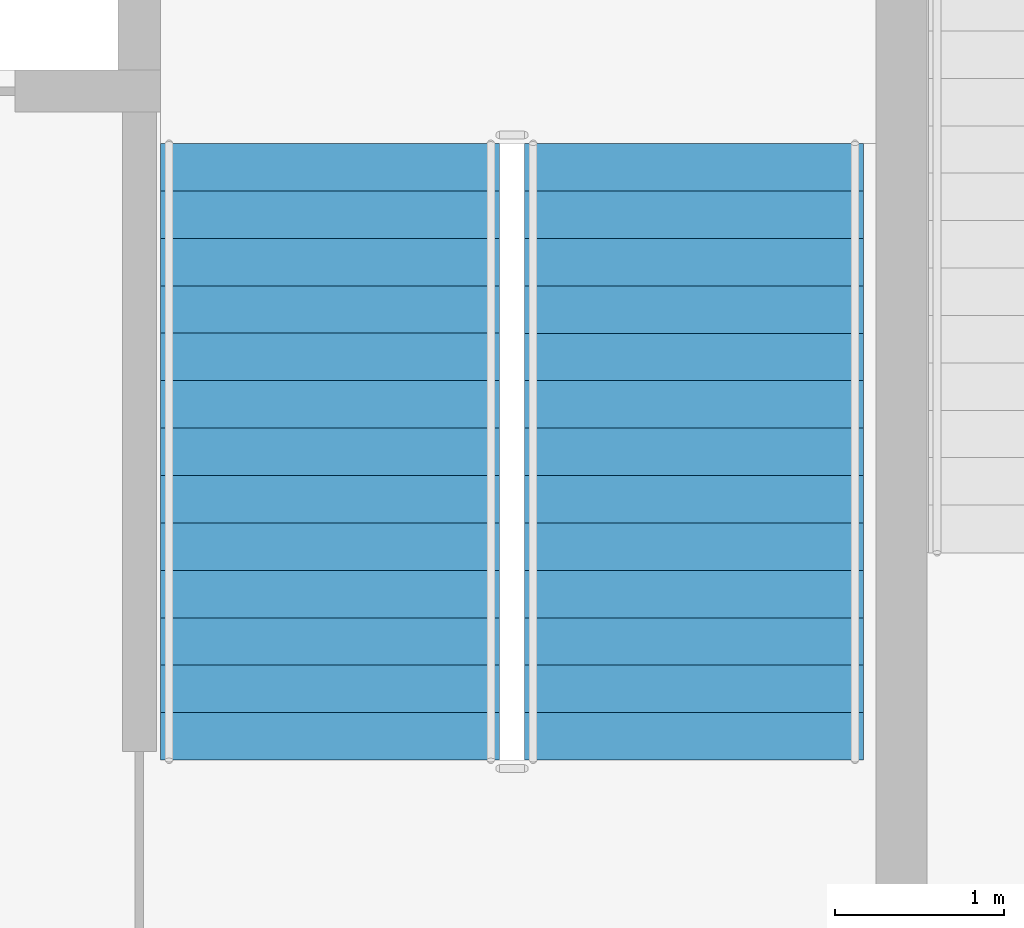
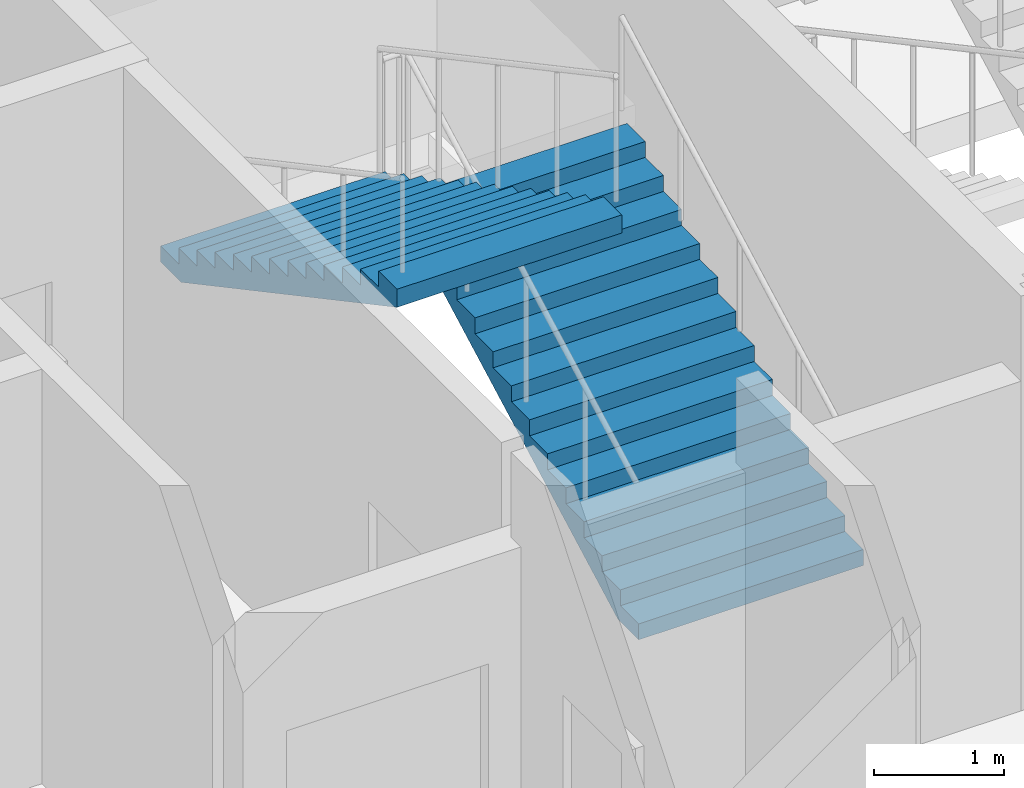
# One storey, part 5 of 7: 2 stair flights, 1 element without a shape of its own.
"""IFC4 building model written with IfcOpenShell, lengths in metres."""

from ifc_helpers import new_model, si_unit, direction, frame, origin, place, context, subcontext, project, spatial, polygons, material, type_object, element, aggregate, save


model = new_model("IFC4")

# Units and contexts
model_context = context("Model", 3, precision=1e-05, world=origin(), true_north=direction((0.0, 1.0)))
body_context = subcontext(model_context, "Body", "Model", "MODEL_VIEW")
ifc_project = project(units=[si_unit("LENGTHUNIT", "METRE"), si_unit("AREAUNIT", "SQUARE_METRE"), si_unit("VOLUMEUNIT", "CUBIC_METRE"), si_unit("PLANEANGLEUNIT", "RADIAN"), si_unit("MASSUNIT", "GRAM", prefix="KILO")], contexts=[model_context])

# Site, building, storey
site_placement = place(None, origin())
site = spatial("IfcSite", under=ifc_project, at=site_placement, CompositionType="ELEMENT")
building_placement = place(site_placement, origin())
building = spatial("IfcBuilding", under=site, at=building_placement, Name="Caravel Reach Hotel and Residences", CompositionType="ELEMENT")
storey_placement = place(building_placement, frame((0.0, 0.0, 317.0)))
storey = spatial("IfcBuildingStorey", under=building, at=storey_placement, Name="L80", CompositionType="ELEMENT", Elevation=317.0)

# Stair, stair flights
ifc_material_1 = material(Name="Concrete C40", Category="concrete")
stair_type = type_object("IfcStairType", Name="Core stair", PredefinedType="HALF_TURN_STAIR", material=ifc_material_1)
stair_placement = place(storey_placement, origin())
stair = element("IfcStair", 1, at=stair_placement, inside=storey, type_object=stair_type, Name="L80 Exit stair B", PredefinedType="HALF_TURN_STAIR")
ifc_material_2 = material(Name="Concrete C40", Category="concrete")
stair_flight_type = type_object("IfcStairFlightType", Name="Core stair flight", PredefinedType="STRAIGHT", material=ifc_material_2)
stair_flight_1_placement = place(storey_placement, frame((43.77490234375, 24.64990234375, 0.0), z_axis=(0.0, 0.0, 1.0), x_axis=(0.0, 1.0, 0.0)))
stair_flight_1 = element("IfcStairFlight", 2, at=stair_flight_1_placement, type_object=stair_flight_type, Name="ST-B flight 1", NumberOfRisers=14, NumberOfTreads=13, PredefinedType="STRAIGHT", RiserHeight=0.15, TreadLength=0.28, context=body_context, shape_type="Tessellation", body=[
    polygons([(0.3174408016601862, 1.0, 0.0), (0.3174408016601862, 0.6666666666666667, 0.0), (0.3174408016601862, 0.33333333333333337, 0.0), (0.3174408016601862, 0.0, 0.0), (0.3174408016601862, -0.33333333333333326, 0.0), (0.3174408016601862, -0.6666666666666667, 0.0), (0.3174408016601862, -1.0, 0.0), (3.6410000000000005, 1.0, 1.7799424276820432), (3.6410000000000005, 0.6666666666666667, 1.7799424276820432), (3.6410000000000005, 0.33333333333333337, 1.7799424276820432), (3.6410000000000005, 0.0, 1.7799424276820432), (3.6410000000000005, -0.33333333333333326, 1.7799424276820432), (3.6410000000000005, -0.6666666666666667, 1.7799424276820432), (3.6410000000000005, -1.0, 1.7799424276820432), (3.6410000000000005, 1.0, 1.95), (3.6410000000000005, 0.6666666666666667, 1.95), (3.6410000000000005, 0.33333333333333337, 1.95), (3.6410000000000005, 0.0, 1.95), (3.6410000000000005, -0.33333333333333326, 1.95), (3.6410000000000005, -0.6666666666666667, 1.95), (3.6410000000000005, -1.0, 1.95), (3.3600000000000003, 1.0, 1.95), (3.3600000000000003, 0.6666666666666667, 1.95), (3.3600000000000003, 0.33333333333333337, 1.95), (3.3600000000000003, 0.0, 1.95), (3.3600000000000003, -0.33333333333333326, 1.95), (3.3600000000000003, -0.6666666666666667, 1.95), (3.3600000000000003, -1.0, 1.95), (3.3600000000000003, 1.0, 1.7999999999999998), (3.3600000000000003, 0.6666666666666667, 1.7999999999999998), (3.3600000000000003, 0.33333333333333337, 1.7999999999999998), (3.3600000000000003, 0.0, 1.7999999999999998), (3.3600000000000003, -0.33333333333333326, 1.7999999999999998), (3.3600000000000003, -0.6666666666666667, 1.7999999999999998), (3.3600000000000003, -1.0, 1.7999999999999998), (3.08, 1.0, 1.7999999999999998), (3.08, 0.6666666666666667, 1.7999999999999998), (3.08, 0.33333333333333337, 1.7999999999999998), (3.08, 0.0, 1.7999999999999998), (3.08, -0.33333333333333326, 1.7999999999999998), (3.08, -0.6666666666666667, 1.7999999999999998), (3.08, -1.0, 1.7999999999999998), (3.08, 1.0, 1.65), (3.08, 0.6666666666666667, 1.65), (3.08, 0.33333333333333337, 1.65), (3.08, 0.0, 1.65), (3.08, -0.33333333333333326, 1.65), (3.08, -0.6666666666666667, 1.65), (3.08, -1.0, 1.65), (2.8000000000000003, 1.0, 1.65), (2.8000000000000003, 0.6666666666666667, 1.65), (2.8000000000000003, 0.33333333333333337, 1.65), (2.8000000000000003, 0.0, 1.65), (2.8000000000000003, -0.33333333333333326, 1.65), (2.8000000000000003, -0.6666666666666667, 1.65), (2.8000000000000003, -1.0, 1.65), (2.8000000000000003, 1.0, 1.5), (2.8000000000000003, 0.6666666666666667, 1.5), (2.8000000000000003, 0.33333333333333337, 1.5), (2.8000000000000003, 0.0, 1.5), (2.8000000000000003, -0.33333333333333326, 1.5), (2.8000000000000003, -0.6666666666666667, 1.5), (2.8000000000000003, -1.0, 1.5), (2.5200000000000005, 1.0, 1.5), (2.5200000000000005, 0.6666666666666667, 1.5), (2.5200000000000005, 0.33333333333333337, 1.5), (2.5200000000000005, 0.0, 1.5), (2.5200000000000005, -0.33333333333333326, 1.5), (2.5200000000000005, -0.6666666666666667, 1.5), (2.5200000000000005, -1.0, 1.5), (2.5200000000000005, 1.0, 1.3499999999999999), (2.5200000000000005, 0.6666666666666667, 1.3499999999999999), (2.5200000000000005, 0.33333333333333337, 1.3499999999999999), (2.5200000000000005, 0.0, 1.3499999999999999), (2.5200000000000005, -0.33333333333333326, 1.3499999999999999), (2.5200000000000005, -0.6666666666666667, 1.3499999999999999), (2.5200000000000005, -1.0, 1.3499999999999999), (2.24, 1.0, 1.3499999999999999), (2.24, 0.6666666666666667, 1.3499999999999999), (2.24, 0.33333333333333337, 1.3499999999999999), (2.24, 0.0, 1.3499999999999999), (2.24, -0.33333333333333326, 1.3499999999999999), (2.24, -0.6666666666666667, 1.3499999999999999), (2.24, -1.0, 1.3499999999999999), (2.24, 1.0, 1.2), (2.24, 0.6666666666666667, 1.2), (2.24, 0.33333333333333337, 1.2), (2.24, 0.0, 1.2), (2.24, -0.33333333333333326, 1.2), (2.24, -0.6666666666666667, 1.2), (2.24, -1.0, 1.2), (1.9600000000000002, 1.0, 1.2), (1.9600000000000002, 0.6666666666666667, 1.2), (1.9600000000000002, 0.33333333333333337, 1.2), (1.9600000000000002, 0.0, 1.2), (1.9600000000000002, -0.33333333333333326, 1.2), (1.9600000000000002, -0.6666666666666667, 1.2), (1.9600000000000002, -1.0, 1.2), (1.9600000000000002, 1.0, 1.05), (1.9600000000000002, 0.6666666666666667, 1.05), (1.9600000000000002, 0.33333333333333337, 1.05), (1.9600000000000002, 0.0, 1.05), (1.9600000000000002, -0.33333333333333326, 1.05), (1.9600000000000002, -0.6666666666666667, 1.05), (1.9600000000000002, -1.0, 1.05), (1.6800000000000002, 1.0, 1.05), (1.6800000000000002, 0.6666666666666667, 1.05), (1.6800000000000002, 0.33333333333333337, 1.05), (1.6800000000000002, 0.0, 1.05), (1.6800000000000002, -0.33333333333333326, 1.05), (1.6800000000000002, -0.6666666666666667, 1.05), (1.6800000000000002, -1.0, 1.05), (1.6800000000000002, 1.0, 0.8999999999999999), (1.6800000000000002, 0.6666666666666667, 0.8999999999999999), (1.6800000000000002, 0.33333333333333337, 0.8999999999999999), (1.6800000000000002, 0.0, 0.8999999999999999), (1.6800000000000002, -0.33333333333333326, 0.8999999999999999), (1.6800000000000002, -0.6666666666666667, 0.8999999999999999), (1.6800000000000002, -1.0, 0.8999999999999999), (1.4000000000000001, 1.0, 0.8999999999999999), (1.4000000000000001, 0.6666666666666667, 0.8999999999999999), (1.4000000000000001, 0.33333333333333337, 0.8999999999999999), (1.4000000000000001, 0.0, 0.8999999999999999), (1.4000000000000001, -0.33333333333333326, 0.8999999999999999), (1.4000000000000001, -0.6666666666666667, 0.8999999999999999), (1.4000000000000001, -1.0, 0.8999999999999999), (1.4000000000000001, 1.0, 0.75), (1.4000000000000001, 0.6666666666666667, 0.75), (1.4000000000000001, 0.33333333333333337, 0.75), (1.4000000000000001, 0.0, 0.75), (1.4000000000000001, -0.33333333333333326, 0.75), (1.4000000000000001, -0.6666666666666667, 0.75), (1.4000000000000001, -1.0, 0.75), (1.12, 1.0, 0.75), (1.12, 0.6666666666666667, 0.75), (1.12, 0.33333333333333337, 0.75), (1.12, 0.0, 0.75), (1.12, -0.33333333333333326, 0.75), (1.12, -0.6666666666666667, 0.75), (1.12, -1.0, 0.75), (1.12, 1.0, 0.6), (1.12, 0.6666666666666667, 0.6), (1.12, 0.33333333333333337, 0.6), (1.12, 0.0, 0.6), (1.12, -0.33333333333333326, 0.6), (1.12, -0.6666666666666667, 0.6), (1.12, -1.0, 0.6), (0.8400000000000001, 1.0, 0.6), (0.8400000000000001, 0.6666666666666667, 0.6), (0.8400000000000001, 0.33333333333333337, 0.6), (0.8400000000000001, 0.0, 0.6), (0.8400000000000001, -0.33333333333333326, 0.6), (0.8400000000000001, -0.6666666666666667, 0.6), (0.8400000000000001, -1.0, 0.6), (0.8400000000000001, 1.0, 0.44999999999999996), (0.8400000000000001, 0.6666666666666667, 0.44999999999999996), (0.8400000000000001, 0.33333333333333337, 0.44999999999999996), (0.8400000000000001, 0.0, 0.44999999999999996), (0.8400000000000001, -0.33333333333333326, 0.44999999999999996), (0.8400000000000001, -0.6666666666666667, 0.44999999999999996), (0.8400000000000001, -1.0, 0.44999999999999996), (0.56, 1.0, 0.44999999999999996), (0.56, 0.6666666666666667, 0.44999999999999996), (0.56, 0.33333333333333337, 0.44999999999999996), (0.56, 0.0, 0.44999999999999996), (0.56, -0.33333333333333326, 0.44999999999999996), (0.56, -0.6666666666666667, 0.44999999999999996), (0.56, -1.0, 0.44999999999999996), (0.56, 1.0, 0.3), (0.56, 0.6666666666666667, 0.3), (0.56, 0.33333333333333337, 0.3), (0.56, 0.0, 0.3), (0.56, -0.33333333333333326, 0.3), (0.56, -0.6666666666666667, 0.3), (0.56, -1.0, 0.3), (0.28, 1.0, 0.3), (0.28, 0.6666666666666667, 0.3), (0.28, 0.33333333333333337, 0.3), (0.28, 0.0, 0.3), (0.28, -0.33333333333333326, 0.3), (0.28, -0.6666666666666667, 0.3), (0.28, -1.0, 0.3), (0.28, 1.0, 0.15), (0.28, 0.6666666666666667, 0.15), (0.28, 0.33333333333333337, 0.15), (0.28, 0.0, 0.15), (0.28, -0.33333333333333326, 0.15), (0.28, -0.6666666666666667, 0.15), (0.28, -1.0, 0.15), (-0.001, 1.0, 0.15), (-0.001, 0.6666666666666667, 0.15), (-0.001, 0.33333333333333337, 0.15), (-0.001, 0.0, 0.15), (-0.001, -0.33333333333333326, 0.15), (-0.001, -0.6666666666666667, 0.15), (-0.001, -1.0, 0.15), (-0.001, 1.0, 0.0), (-0.001, 0.6666666666666667, 0.0), (-0.001, 0.33333333333333337, 0.0), (-0.001, 0.0, 0.0), (-0.001, -0.33333333333333326, 0.0), (-0.001, -0.6666666666666667, 0.0), (-0.001, -1.0, 0.0)], [[[197, 190, 183, 176, 169, 162, 155, 148, 141, 134, 127, 120, 113, 106, 99, 92, 85, 78, 71, 64, 57, 50, 43, 36, 29, 22, 15, 8, 1]], [[7, 14, 21, 28, 35, 42, 49, 56, 63, 70, 77, 84, 91, 98, 105, 112, 119, 126, 133, 140, 147, 154, 161, 168, 175, 182, 189, 196, 203]], [[1, 8, 9, 2]], [[2, 9, 10, 3]], [[3, 10, 11, 4]], [[4, 11, 12, 5]], [[5, 12, 13, 6]], [[6, 13, 14, 7]], [[8, 15, 16, 9]], [[9, 16, 17, 10]], [[10, 17, 18, 11]], [[11, 18, 19, 12]], [[12, 19, 20, 13]], [[13, 20, 21, 14]], [[15, 22, 23, 16]], [[16, 23, 24, 17]], [[17, 24, 25, 18]], [[18, 25, 26, 19]], [[19, 26, 27, 20]], [[20, 27, 28, 21]], [[22, 29, 30, 23]], [[23, 30, 31, 24]], [[24, 31, 32, 25]], [[25, 32, 33, 26]], [[26, 33, 34, 27]], [[27, 34, 35, 28]], [[29, 36, 37, 30]], [[30, 37, 38, 31]], [[31, 38, 39, 32]], [[32, 39, 40, 33]], [[33, 40, 41, 34]], [[34, 41, 42, 35]], [[36, 43, 44, 37]], [[37, 44, 45, 38]], [[38, 45, 46, 39]], [[39, 46, 47, 40]], [[40, 47, 48, 41]], [[41, 48, 49, 42]], [[43, 50, 51, 44]], [[44, 51, 52, 45]], [[45, 52, 53, 46]], [[46, 53, 54, 47]], [[47, 54, 55, 48]], [[48, 55, 56, 49]], [[50, 57, 58, 51]], [[51, 58, 59, 52]], [[52, 59, 60, 53]], [[53, 60, 61, 54]], [[54, 61, 62, 55]], [[55, 62, 63, 56]], [[57, 64, 65, 58]], [[58, 65, 66, 59]], [[59, 66, 67, 60]], [[60, 67, 68, 61]], [[61, 68, 69, 62]], [[62, 69, 70, 63]], [[64, 71, 72, 65]], [[65, 72, 73, 66]], [[66, 73, 74, 67]], [[67, 74, 75, 68]], [[68, 75, 76, 69]], [[69, 76, 77, 70]], [[71, 78, 79, 72]], [[72, 79, 80, 73]], [[73, 80, 81, 74]], [[74, 81, 82, 75]], [[75, 82, 83, 76]], [[76, 83, 84, 77]], [[78, 85, 86, 79]], [[79, 86, 87, 80]], [[80, 87, 88, 81]], [[81, 88, 89, 82]], [[82, 89, 90, 83]], [[83, 90, 91, 84]], [[85, 92, 93, 86]], [[86, 93, 94, 87]], [[87, 94, 95, 88]], [[88, 95, 96, 89]], [[89, 96, 97, 90]], [[90, 97, 98, 91]], [[92, 99, 100, 93]], [[93, 100, 101, 94]], [[94, 101, 102, 95]], [[95, 102, 103, 96]], [[96, 103, 104, 97]], [[97, 104, 105, 98]], [[99, 106, 107, 100]], [[100, 107, 108, 101]], [[101, 108, 109, 102]], [[102, 109, 110, 103]], [[103, 110, 111, 104]], [[104, 111, 112, 105]], [[106, 113, 114, 107]], [[107, 114, 115, 108]], [[108, 115, 116, 109]], [[109, 116, 117, 110]], [[110, 117, 118, 111]], [[111, 118, 119, 112]], [[113, 120, 121, 114]], [[114, 121, 122, 115]], [[115, 122, 123, 116]], [[116, 123, 124, 117]], [[117, 124, 125, 118]], [[118, 125, 126, 119]], [[120, 127, 128, 121]], [[121, 128, 129, 122]], [[122, 129, 130, 123]], [[123, 130, 131, 124]], [[124, 131, 132, 125]], [[125, 132, 133, 126]], [[127, 134, 135, 128]], [[128, 135, 136, 129]], [[129, 136, 137, 130]], [[130, 137, 138, 131]], [[131, 138, 139, 132]], [[132, 139, 140, 133]], [[134, 141, 142, 135]], [[135, 142, 143, 136]], [[136, 143, 144, 137]], [[137, 144, 145, 138]], [[138, 145, 146, 139]], [[139, 146, 147, 140]], [[141, 148, 149, 142]], [[142, 149, 150, 143]], [[143, 150, 151, 144]], [[144, 151, 152, 145]], [[145, 152, 153, 146]], [[146, 153, 154, 147]], [[148, 155, 156, 149]], [[149, 156, 157, 150]], [[150, 157, 158, 151]], [[151, 158, 159, 152]], [[152, 159, 160, 153]], [[153, 160, 161, 154]], [[155, 162, 163, 156]], [[156, 163, 164, 157]], [[157, 164, 165, 158]], [[158, 165, 166, 159]], [[159, 166, 167, 160]], [[160, 167, 168, 161]], [[162, 169, 170, 163]], [[163, 170, 171, 164]], [[164, 171, 172, 165]], [[165, 172, 173, 166]], [[166, 173, 174, 167]], [[167, 174, 175, 168]], [[169, 176, 177, 170]], [[170, 177, 178, 171]], [[171, 178, 179, 172]], [[172, 179, 180, 173]], [[173, 180, 181, 174]], [[174, 181, 182, 175]], [[176, 183, 184, 177]], [[177, 184, 185, 178]], [[178, 185, 186, 179]], [[179, 186, 187, 180]], [[180, 187, 188, 181]], [[181, 188, 189, 182]], [[183, 190, 191, 184]], [[184, 191, 192, 185]], [[185, 192, 193, 186]], [[186, 193, 194, 187]], [[187, 194, 195, 188]], [[188, 195, 196, 189]], [[190, 197, 198, 191]], [[191, 198, 199, 192]], [[192, 199, 200, 193]], [[193, 200, 201, 194]], [[194, 201, 202, 195]], [[195, 202, 203, 196]], [[197, 1, 2, 198]], [[198, 2, 3, 199]], [[199, 3, 4, 200]], [[200, 4, 5, 201]], [[201, 5, 6, 202]], [[202, 6, 7, 203]]], closed=True),
])
stair_flight_2_placement = place(storey_placement, frame((41.625, 28.2900390625, 2.10009765625), z_axis=(0.0, 0.0, 1.0), x_axis=(0.0, -1.0, 0.0)))
stair_flight_2 = element("IfcStairFlight", 3, at=stair_flight_2_placement, type_object=stair_flight_type, Name="ST-B flight 2", NumberOfRisers=14, NumberOfTreads=13, PredefinedType="STRAIGHT", RiserHeight=0.15, TreadLength=0.28, context=body_context, shape_type="Tessellation", body=[
    polygons([(0.3174408016601862, 1.0, 0.0), (0.3174408016601862, 0.6666666666666667, 0.0), (0.3174408016601862, 0.33333333333333337, 0.0), (0.3174408016601862, 0.0, 0.0), (0.3174408016601862, -0.33333333333333326, 0.0), (0.3174408016601862, -0.6666666666666667, 0.0), (0.3174408016601862, -1.0, 0.0), (3.6410000000000005, 1.0, 1.7799424276820432), (3.6410000000000005, 0.6666666666666667, 1.7799424276820432), (3.6410000000000005, 0.33333333333333337, 1.7799424276820432), (3.6410000000000005, 0.0, 1.7799424276820432), (3.6410000000000005, -0.33333333333333326, 1.7799424276820432), (3.6410000000000005, -0.6666666666666667, 1.7799424276820432), (3.6410000000000005, -1.0, 1.7799424276820432), (3.6410000000000005, 1.0, 1.95), (3.6410000000000005, 0.6666666666666667, 1.95), (3.6410000000000005, 0.33333333333333337, 1.95), (3.6410000000000005, 0.0, 1.95), (3.6410000000000005, -0.33333333333333326, 1.95), (3.6410000000000005, -0.6666666666666667, 1.95), (3.6410000000000005, -1.0, 1.95), (3.3600000000000003, 1.0, 1.95), (3.3600000000000003, 0.6666666666666667, 1.95), (3.3600000000000003, 0.33333333333333337, 1.95), (3.3600000000000003, 0.0, 1.95), (3.3600000000000003, -0.33333333333333326, 1.95), (3.3600000000000003, -0.6666666666666667, 1.95), (3.3600000000000003, -1.0, 1.95), (3.3600000000000003, 1.0, 1.7999999999999998), (3.3600000000000003, 0.6666666666666667, 1.7999999999999998), (3.3600000000000003, 0.33333333333333337, 1.7999999999999998), (3.3600000000000003, 0.0, 1.7999999999999998), (3.3600000000000003, -0.33333333333333326, 1.7999999999999998), (3.3600000000000003, -0.6666666666666667, 1.7999999999999998), (3.3600000000000003, -1.0, 1.7999999999999998), (3.08, 1.0, 1.7999999999999998), (3.08, 0.6666666666666667, 1.7999999999999998), (3.08, 0.33333333333333337, 1.7999999999999998), (3.08, 0.0, 1.7999999999999998), (3.08, -0.33333333333333326, 1.7999999999999998), (3.08, -0.6666666666666667, 1.7999999999999998), (3.08, -1.0, 1.7999999999999998), (3.08, 1.0, 1.65), (3.08, 0.6666666666666667, 1.65), (3.08, 0.33333333333333337, 1.65), (3.08, 0.0, 1.65), (3.08, -0.33333333333333326, 1.65), (3.08, -0.6666666666666667, 1.65), (3.08, -1.0, 1.65), (2.8000000000000003, 1.0, 1.65), (2.8000000000000003, 0.6666666666666667, 1.65), (2.8000000000000003, 0.33333333333333337, 1.65), (2.8000000000000003, 0.0, 1.65), (2.8000000000000003, -0.33333333333333326, 1.65), (2.8000000000000003, -0.6666666666666667, 1.65), (2.8000000000000003, -1.0, 1.65), (2.8000000000000003, 1.0, 1.5), (2.8000000000000003, 0.6666666666666667, 1.5), (2.8000000000000003, 0.33333333333333337, 1.5), (2.8000000000000003, 0.0, 1.5), (2.8000000000000003, -0.33333333333333326, 1.5), (2.8000000000000003, -0.6666666666666667, 1.5), (2.8000000000000003, -1.0, 1.5), (2.5200000000000005, 1.0, 1.5), (2.5200000000000005, 0.6666666666666667, 1.5), (2.5200000000000005, 0.33333333333333337, 1.5), (2.5200000000000005, 0.0, 1.5), (2.5200000000000005, -0.33333333333333326, 1.5), (2.5200000000000005, -0.6666666666666667, 1.5), (2.5200000000000005, -1.0, 1.5), (2.5200000000000005, 1.0, 1.3499999999999999), (2.5200000000000005, 0.6666666666666667, 1.3499999999999999), (2.5200000000000005, 0.33333333333333337, 1.3499999999999999), (2.5200000000000005, 0.0, 1.3499999999999999), (2.5200000000000005, -0.33333333333333326, 1.3499999999999999), (2.5200000000000005, -0.6666666666666667, 1.3499999999999999), (2.5200000000000005, -1.0, 1.3499999999999999), (2.24, 1.0, 1.3499999999999999), (2.24, 0.6666666666666667, 1.3499999999999999), (2.24, 0.33333333333333337, 1.3499999999999999), (2.24, 0.0, 1.3499999999999999), (2.24, -0.33333333333333326, 1.3499999999999999), (2.24, -0.6666666666666667, 1.3499999999999999), (2.24, -1.0, 1.3499999999999999), (2.24, 1.0, 1.2), (2.24, 0.6666666666666667, 1.2), (2.24, 0.33333333333333337, 1.2), (2.24, 0.0, 1.2), (2.24, -0.33333333333333326, 1.2), (2.24, -0.6666666666666667, 1.2), (2.24, -1.0, 1.2), (1.9600000000000002, 1.0, 1.2), (1.9600000000000002, 0.6666666666666667, 1.2), (1.9600000000000002, 0.33333333333333337, 1.2), (1.9600000000000002, 0.0, 1.2), (1.9600000000000002, -0.33333333333333326, 1.2), (1.9600000000000002, -0.6666666666666667, 1.2), (1.9600000000000002, -1.0, 1.2), (1.9600000000000002, 1.0, 1.05), (1.9600000000000002, 0.6666666666666667, 1.05), (1.9600000000000002, 0.33333333333333337, 1.05), (1.9600000000000002, 0.0, 1.05), (1.9600000000000002, -0.33333333333333326, 1.05), (1.9600000000000002, -0.6666666666666667, 1.05), (1.9600000000000002, -1.0, 1.05), (1.6800000000000002, 1.0, 1.05), (1.6800000000000002, 0.6666666666666667, 1.05), (1.6800000000000002, 0.33333333333333337, 1.05), (1.6800000000000002, 0.0, 1.05), (1.6800000000000002, -0.33333333333333326, 1.05), (1.6800000000000002, -0.6666666666666667, 1.05), (1.6800000000000002, -1.0, 1.05), (1.6800000000000002, 1.0, 0.8999999999999999), (1.6800000000000002, 0.6666666666666667, 0.8999999999999999), (1.6800000000000002, 0.33333333333333337, 0.8999999999999999), (1.6800000000000002, 0.0, 0.8999999999999999), (1.6800000000000002, -0.33333333333333326, 0.8999999999999999), (1.6800000000000002, -0.6666666666666667, 0.8999999999999999), (1.6800000000000002, -1.0, 0.8999999999999999), (1.4000000000000001, 1.0, 0.8999999999999999), (1.4000000000000001, 0.6666666666666667, 0.8999999999999999), (1.4000000000000001, 0.33333333333333337, 0.8999999999999999), (1.4000000000000001, 0.0, 0.8999999999999999), (1.4000000000000001, -0.33333333333333326, 0.8999999999999999), (1.4000000000000001, -0.6666666666666667, 0.8999999999999999), (1.4000000000000001, -1.0, 0.8999999999999999), (1.4000000000000001, 1.0, 0.75), (1.4000000000000001, 0.6666666666666667, 0.75), (1.4000000000000001, 0.33333333333333337, 0.75), (1.4000000000000001, 0.0, 0.75), (1.4000000000000001, -0.33333333333333326, 0.75), (1.4000000000000001, -0.6666666666666667, 0.75), (1.4000000000000001, -1.0, 0.75), (1.12, 1.0, 0.75), (1.12, 0.6666666666666667, 0.75), (1.12, 0.33333333333333337, 0.75), (1.12, 0.0, 0.75), (1.12, -0.33333333333333326, 0.75), (1.12, -0.6666666666666667, 0.75), (1.12, -1.0, 0.75), (1.12, 1.0, 0.6), (1.12, 0.6666666666666667, 0.6), (1.12, 0.33333333333333337, 0.6), (1.12, 0.0, 0.6), (1.12, -0.33333333333333326, 0.6), (1.12, -0.6666666666666667, 0.6), (1.12, -1.0, 0.6), (0.8400000000000001, 1.0, 0.6), (0.8400000000000001, 0.6666666666666667, 0.6), (0.8400000000000001, 0.33333333333333337, 0.6), (0.8400000000000001, 0.0, 0.6), (0.8400000000000001, -0.33333333333333326, 0.6), (0.8400000000000001, -0.6666666666666667, 0.6), (0.8400000000000001, -1.0, 0.6), (0.8400000000000001, 1.0, 0.44999999999999996), (0.8400000000000001, 0.6666666666666667, 0.44999999999999996), (0.8400000000000001, 0.33333333333333337, 0.44999999999999996), (0.8400000000000001, 0.0, 0.44999999999999996), (0.8400000000000001, -0.33333333333333326, 0.44999999999999996), (0.8400000000000001, -0.6666666666666667, 0.44999999999999996), (0.8400000000000001, -1.0, 0.44999999999999996), (0.56, 1.0, 0.44999999999999996), (0.56, 0.6666666666666667, 0.44999999999999996), (0.56, 0.33333333333333337, 0.44999999999999996), (0.56, 0.0, 0.44999999999999996), (0.56, -0.33333333333333326, 0.44999999999999996), (0.56, -0.6666666666666667, 0.44999999999999996), (0.56, -1.0, 0.44999999999999996), (0.56, 1.0, 0.3), (0.56, 0.6666666666666667, 0.3), (0.56, 0.33333333333333337, 0.3), (0.56, 0.0, 0.3), (0.56, -0.33333333333333326, 0.3), (0.56, -0.6666666666666667, 0.3), (0.56, -1.0, 0.3), (0.28, 1.0, 0.3), (0.28, 0.6666666666666667, 0.3), (0.28, 0.33333333333333337, 0.3), (0.28, 0.0, 0.3), (0.28, -0.33333333333333326, 0.3), (0.28, -0.6666666666666667, 0.3), (0.28, -1.0, 0.3), (0.28, 1.0, 0.15), (0.28, 0.6666666666666667, 0.15), (0.28, 0.33333333333333337, 0.15), (0.28, 0.0, 0.15), (0.28, -0.33333333333333326, 0.15), (0.28, -0.6666666666666667, 0.15), (0.28, -1.0, 0.15), (-0.001, 1.0, 0.15), (-0.001, 0.6666666666666667, 0.15), (-0.001, 0.33333333333333337, 0.15), (-0.001, 0.0, 0.15), (-0.001, -0.33333333333333326, 0.15), (-0.001, -0.6666666666666667, 0.15), (-0.001, -1.0, 0.15), (-0.001, 1.0, 0.0), (-0.001, 0.6666666666666667, 0.0), (-0.001, 0.33333333333333337, 0.0), (-0.001, 0.0, 0.0), (-0.001, -0.33333333333333326, 0.0), (-0.001, -0.6666666666666667, 0.0), (-0.001, -1.0, 0.0)], [[[197, 190, 183, 176, 169, 162, 155, 148, 141, 134, 127, 120, 113, 106, 99, 92, 85, 78, 71, 64, 57, 50, 43, 36, 29, 22, 15, 8, 1]], [[7, 14, 21, 28, 35, 42, 49, 56, 63, 70, 77, 84, 91, 98, 105, 112, 119, 126, 133, 140, 147, 154, 161, 168, 175, 182, 189, 196, 203]], [[1, 8, 9, 2]], [[2, 9, 10, 3]], [[3, 10, 11, 4]], [[4, 11, 12, 5]], [[5, 12, 13, 6]], [[6, 13, 14, 7]], [[8, 15, 16, 9]], [[9, 16, 17, 10]], [[10, 17, 18, 11]], [[11, 18, 19, 12]], [[12, 19, 20, 13]], [[13, 20, 21, 14]], [[15, 22, 23, 16]], [[16, 23, 24, 17]], [[17, 24, 25, 18]], [[18, 25, 26, 19]], [[19, 26, 27, 20]], [[20, 27, 28, 21]], [[22, 29, 30, 23]], [[23, 30, 31, 24]], [[24, 31, 32, 25]], [[25, 32, 33, 26]], [[26, 33, 34, 27]], [[27, 34, 35, 28]], [[29, 36, 37, 30]], [[30, 37, 38, 31]], [[31, 38, 39, 32]], [[32, 39, 40, 33]], [[33, 40, 41, 34]], [[34, 41, 42, 35]], [[36, 43, 44, 37]], [[37, 44, 45, 38]], [[38, 45, 46, 39]], [[39, 46, 47, 40]], [[40, 47, 48, 41]], [[41, 48, 49, 42]], [[43, 50, 51, 44]], [[44, 51, 52, 45]], [[45, 52, 53, 46]], [[46, 53, 54, 47]], [[47, 54, 55, 48]], [[48, 55, 56, 49]], [[50, 57, 58, 51]], [[51, 58, 59, 52]], [[52, 59, 60, 53]], [[53, 60, 61, 54]], [[54, 61, 62, 55]], [[55, 62, 63, 56]], [[57, 64, 65, 58]], [[58, 65, 66, 59]], [[59, 66, 67, 60]], [[60, 67, 68, 61]], [[61, 68, 69, 62]], [[62, 69, 70, 63]], [[64, 71, 72, 65]], [[65, 72, 73, 66]], [[66, 73, 74, 67]], [[67, 74, 75, 68]], [[68, 75, 76, 69]], [[69, 76, 77, 70]], [[71, 78, 79, 72]], [[72, 79, 80, 73]], [[73, 80, 81, 74]], [[74, 81, 82, 75]], [[75, 82, 83, 76]], [[76, 83, 84, 77]], [[78, 85, 86, 79]], [[79, 86, 87, 80]], [[80, 87, 88, 81]], [[81, 88, 89, 82]], [[82, 89, 90, 83]], [[83, 90, 91, 84]], [[85, 92, 93, 86]], [[86, 93, 94, 87]], [[87, 94, 95, 88]], [[88, 95, 96, 89]], [[89, 96, 97, 90]], [[90, 97, 98, 91]], [[92, 99, 100, 93]], [[93, 100, 101, 94]], [[94, 101, 102, 95]], [[95, 102, 103, 96]], [[96, 103, 104, 97]], [[97, 104, 105, 98]], [[99, 106, 107, 100]], [[100, 107, 108, 101]], [[101, 108, 109, 102]], [[102, 109, 110, 103]], [[103, 110, 111, 104]], [[104, 111, 112, 105]], [[106, 113, 114, 107]], [[107, 114, 115, 108]], [[108, 115, 116, 109]], [[109, 116, 117, 110]], [[110, 117, 118, 111]], [[111, 118, 119, 112]], [[113, 120, 121, 114]], [[114, 121, 122, 115]], [[115, 122, 123, 116]], [[116, 123, 124, 117]], [[117, 124, 125, 118]], [[118, 125, 126, 119]], [[120, 127, 128, 121]], [[121, 128, 129, 122]], [[122, 129, 130, 123]], [[123, 130, 131, 124]], [[124, 131, 132, 125]], [[125, 132, 133, 126]], [[127, 134, 135, 128]], [[128, 135, 136, 129]], [[129, 136, 137, 130]], [[130, 137, 138, 131]], [[131, 138, 139, 132]], [[132, 139, 140, 133]], [[134, 141, 142, 135]], [[135, 142, 143, 136]], [[136, 143, 144, 137]], [[137, 144, 145, 138]], [[138, 145, 146, 139]], [[139, 146, 147, 140]], [[141, 148, 149, 142]], [[142, 149, 150, 143]], [[143, 150, 151, 144]], [[144, 151, 152, 145]], [[145, 152, 153, 146]], [[146, 153, 154, 147]], [[148, 155, 156, 149]], [[149, 156, 157, 150]], [[150, 157, 158, 151]], [[151, 158, 159, 152]], [[152, 159, 160, 153]], [[153, 160, 161, 154]], [[155, 162, 163, 156]], [[156, 163, 164, 157]], [[157, 164, 165, 158]], [[158, 165, 166, 159]], [[159, 166, 167, 160]], [[160, 167, 168, 161]], [[162, 169, 170, 163]], [[163, 170, 171, 164]], [[164, 171, 172, 165]], [[165, 172, 173, 166]], [[166, 173, 174, 167]], [[167, 174, 175, 168]], [[169, 176, 177, 170]], [[170, 177, 178, 171]], [[171, 178, 179, 172]], [[172, 179, 180, 173]], [[173, 180, 181, 174]], [[174, 181, 182, 175]], [[176, 183, 184, 177]], [[177, 184, 185, 178]], [[178, 185, 186, 179]], [[179, 186, 187, 180]], [[180, 187, 188, 181]], [[181, 188, 189, 182]], [[183, 190, 191, 184]], [[184, 191, 192, 185]], [[185, 192, 193, 186]], [[186, 193, 194, 187]], [[187, 194, 195, 188]], [[188, 195, 196, 189]], [[190, 197, 198, 191]], [[191, 198, 199, 192]], [[192, 199, 200, 193]], [[193, 200, 201, 194]], [[194, 201, 202, 195]], [[195, 202, 203, 196]], [[197, 1, 2, 198]], [[198, 2, 3, 199]], [[199, 3, 4, 200]], [[200, 4, 5, 201]], [[201, 5, 6, 202]], [[202, 6, 7, 203]]], closed=True),
])
aggregate(stair, [stair_flight_1, stair_flight_2])

save(model, "model.ifc")
